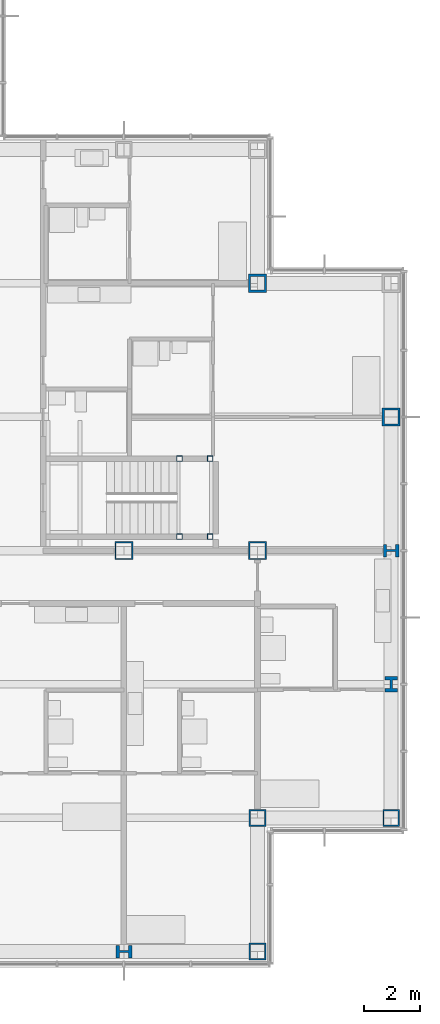
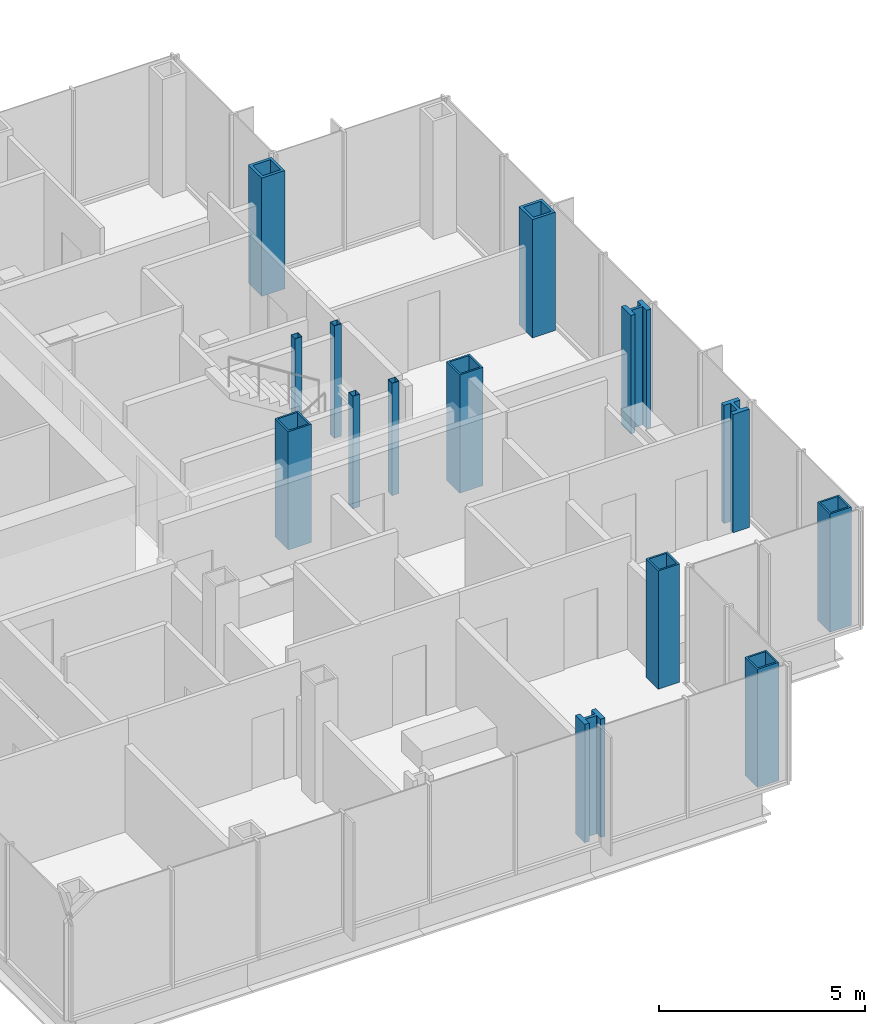
# One storey, part 4 of 20: 14 columns.
"""IFC4 building model written with IfcOpenShell, lengths in metres."""

from ifc_helpers import new_model, si_unit, direction, frame, origin, origin_2d, place, context, subcontext, project, spatial, hollow_rectangle, i_section, extrude, material, material_profile, profile_set, type_object, element, save


model = new_model("IFC4")

# Units and contexts
model_context = context("Model", 3, precision=1e-05, world=origin(), true_north=direction((0.0, 1.0)))
body_context = subcontext(model_context, "Body", "Model", "MODEL_VIEW")
ifc_project = project(units=[si_unit("LENGTHUNIT", "METRE"), si_unit("AREAUNIT", "SQUARE_METRE"), si_unit("VOLUMEUNIT", "CUBIC_METRE"), si_unit("PLANEANGLEUNIT", "RADIAN"), si_unit("MASSUNIT", "GRAM", prefix="KILO")], contexts=[model_context])

# Site, building, storey
site_placement = place(None, origin())
site = spatial("IfcSite", under=ifc_project, at=site_placement, CompositionType="ELEMENT")
building_placement = place(site_placement, origin())
building = spatial("IfcBuilding", under=site, at=building_placement, Name="Kvirike Care Tower", CompositionType="ELEMENT")
storey_placement = place(building_placement, frame((0.0, 0.0, 105.0)))
storey = spatial("IfcBuildingStorey", under=building, at=storey_placement, Name="L28", CompositionType="ELEMENT", Elevation=105.0)

# Columns
ifc_material_1 = material(Name="Steel S460", Category="steel")
ifc_material_profile_1 = material_profile(ifc_material_1, hollow_rectangle(XDim=0.60009765625, YDim=0.60009765625, WallThickness=0.050048828125, at=origin_2d()), Name="BX 600x600x50")
ifc_profile_set_1 = profile_set([ifc_material_profile_1], Name="Steel S460")
column_type_1 = type_object("IfcColumnType", Name="COLUMN BX 600x600x50", PredefinedType="COLUMN", material=ifc_profile_set_1)
for number, where, z_axis, x_axis, name in (
    (1, (38.39990234375, 14.39990234375, 0.0), (0.0, 0.0, 1.0), (0.0, 1.0, 0.0), "Column D11 L28"),
    (2, (38.39990234375, 19.199951171875, 0.0), (0.0, 0.0, 1.0), (0.0, 1.0, 0.0), "Column E11 L28"),
    (3, (43.199951171875, 19.199951171875, 0.0), (0.0, 0.0, 1.0), (0.0, 1.0, 0.0), "Column E12 L28"),
):
    element("IfcColumn", number, at=place(storey_placement, frame(where, z_axis=z_axis, x_axis=x_axis)), inside=storey, type_object=column_type_1, Name=name, PredefinedType="COLUMN", context=body_context, shape_type="SweptSolid", body=[
        extrude(hollow_rectangle(XDim=0.60009765625, YDim=0.60009765625, WallThickness=0.050048828125, at=origin_2d()), origin(), (0.0, 0.0, 1.0), 3.5),
    ])
ifc_material_2 = material(Name="Steel S460", Category="steel")
ifc_material_profile_2 = material_profile(ifc_material_2, hollow_rectangle(XDim=0.64990234375, YDim=0.64990234375, WallThickness=0.050048828125, at=origin_2d()), Name="BX 650x650x50")
ifc_profile_set_2 = profile_set([ifc_material_profile_2], Name="Steel S460")
column_type_2 = type_object("IfcColumnType", Name="COLUMN BX 650x650x50", PredefinedType="COLUMN", material=ifc_profile_set_2)
for number, where, z_axis, x_axis, name in (
    (4, (33.60009765625, 28.800048828125, 0.0), (0.0, 0.0, 1.0), (0.0, 1.0, 0.0), "Column G10 L28"),
    (5, (38.39990234375, 28.800048828125, 0.0), (0.0, 0.0, 1.0), (0.0, 1.0, 0.0), "Column G11 L28"),
):
    element("IfcColumn", number, at=place(storey_placement, frame(where, z_axis=z_axis, x_axis=x_axis)), inside=storey, type_object=column_type_2, Name=name, PredefinedType="COLUMN", context=body_context, shape_type="SweptSolid", body=[
        extrude(hollow_rectangle(XDim=0.64990234375, YDim=0.64990234375, WallThickness=0.050048828125, at=origin_2d()), origin(), (0.0, 0.0, 1.0), 3.5),
    ])
ifc_material_3 = material(Name="Steel S460", Category="steel")
ifc_material_profile_3 = material_profile(ifc_material_3, hollow_rectangle(XDim=0.64990234375, YDim=0.64990234375, WallThickness=0.080078125, at=origin_2d()), Name="BX 650x650x80")
ifc_profile_set_3 = profile_set([ifc_material_profile_3], Name="Steel S460")
column_type_3 = type_object("IfcColumnType", Name="COLUMN BX 650x650x80", PredefinedType="COLUMN", material=ifc_profile_set_3)
for number, where, z_axis, x_axis, name in (
    (6, (38.39990234375, 38.39990234375, 0.0), (0.0, 0.0, 1.0), (0.0, 1.0, 0.0), "Column J11 L28"),
    (7, (43.199951171875, 33.60009765625, 0.0), (0.0, 0.0, 1.0), (1.0, 0.0, 0.0), "Column H12 L28"),
):
    element("IfcColumn", number, at=place(storey_placement, frame(where, z_axis=z_axis, x_axis=x_axis)), inside=storey, type_object=column_type_3, Name=name, PredefinedType="COLUMN", context=body_context, shape_type="SweptSolid", body=[
        extrude(hollow_rectangle(XDim=0.64990234375, YDim=0.64990234375, WallThickness=0.080078125, at=origin_2d()), origin(), (0.0, 0.0, 1.0), 3.5),
    ])
ifc_material_4 = material(Name="Steel S460", Category="steel")
ifc_material_profile_4 = material_profile(ifc_material_4, i_section(OverallWidth=0.4541015625, OverallDepth=0.569091796875, WebThickness=0.077880859375, FlangeThickness=0.125, FilletRadius=0.014892578125, at=origin_2d()), Name="HD 400x1086")
ifc_profile_set_4 = profile_set([ifc_material_profile_4], Name="Steel S460")
column_type_4 = type_object("IfcColumnType", Name="COLUMN HD 400x1086", PredefinedType="COLUMN", material=ifc_profile_set_4)
for number, where, z_axis, x_axis, name in (
    (8, (33.60009765625, 14.39990234375, 0.0), (0.0, 0.0, 1.0), (0.0, 1.0, 0.0), "Column D10 L28"),
    (9, (43.199951171875, 24.0, 0.0), (0.0, 0.0, 1.0), (1.0, 0.0, 0.0), "Column F12 L28"),
    (10, (43.199951171875, 28.800048828125, 0.0), (0.0, 0.0, 1.0), (0.0, 1.0, 0.0), "Column G12 L28"),
):
    element("IfcColumn", number, at=place(storey_placement, frame(where, z_axis=z_axis, x_axis=x_axis)), inside=storey, type_object=column_type_4, Name=name, PredefinedType="COLUMN", context=body_context, shape_type="SweptSolid", body=[
        extrude(i_section(OverallWidth=0.4541015625, OverallDepth=0.569091796875, WebThickness=0.077880859375, FlangeThickness=0.125, FilletRadius=0.014892578125, at=origin_2d()), origin(), (0.0, 0.0, 1.0), 3.5),
    ])
ifc_material_5 = material(Name="Steel S460", Category="steel")
ifc_material_profile_5 = material_profile(ifc_material_5, hollow_rectangle(XDim=0.199951171875, YDim=0.199951171875, WallThickness=0.008056640625, at=origin_2d()), Name="SHS 200x200x8")
ifc_profile_set_5 = profile_set([ifc_material_profile_5], Name="Steel S460")
column_type_5 = type_object("IfcColumnType", Name="STAIR POST SHS 200x200x8", PredefinedType="COLUMN", material=ifc_profile_set_5)
for number, where, z_axis, x_axis, name in (
    (11, (36.699951171875, 29.300048828125, 0.0), (0.0, 0.0, 1.0), (1.0, 0.0, 0.0), "Stair 2 post 1 L28"),
    (12, (36.699951171875, 32.10009765625, 0.0), (0.0, 0.0, 1.0), (1.0, 0.0, 0.0), "Stair 2 post 2 L28"),
    (13, (35.60009765625, 29.300048828125, 0.0), (0.0, 0.0, 1.0), (1.0, 0.0, 0.0), "Stair 2 post 3 L28"),
    (14, (35.60009765625, 32.10009765625, 0.0), (0.0, 0.0, 1.0), (1.0, 0.0, 0.0), "Stair 2 post 4 L28"),
):
    element("IfcColumn", number, at=place(storey_placement, frame(where, z_axis=z_axis, x_axis=x_axis)), inside=storey, type_object=column_type_5, Name=name, PredefinedType="COLUMN", context=body_context, shape_type="SweptSolid", body=[
        extrude(hollow_rectangle(XDim=0.199951171875, YDim=0.199951171875, WallThickness=0.008056640625, at=origin_2d()), origin(), (0.0, 0.0, 1.0), 3.330078125),
    ])

save(model, "model.ifc")
